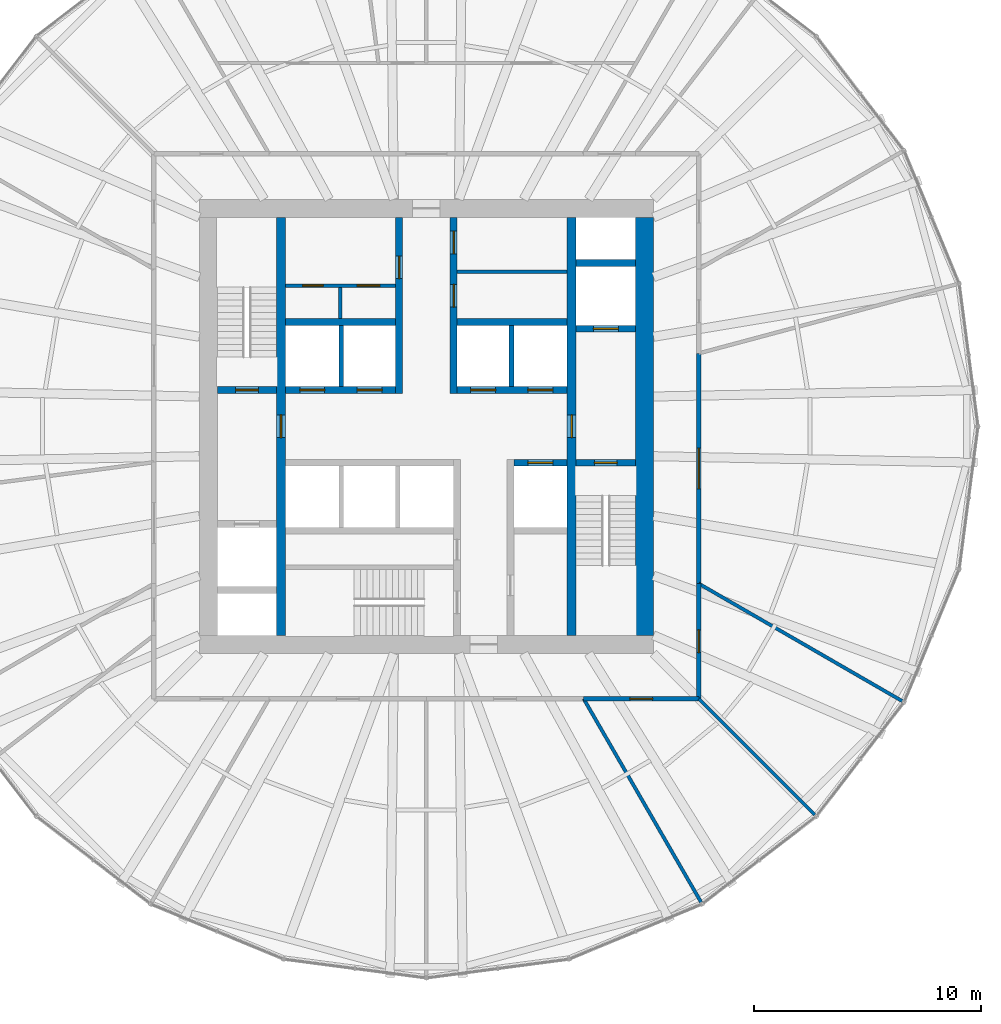
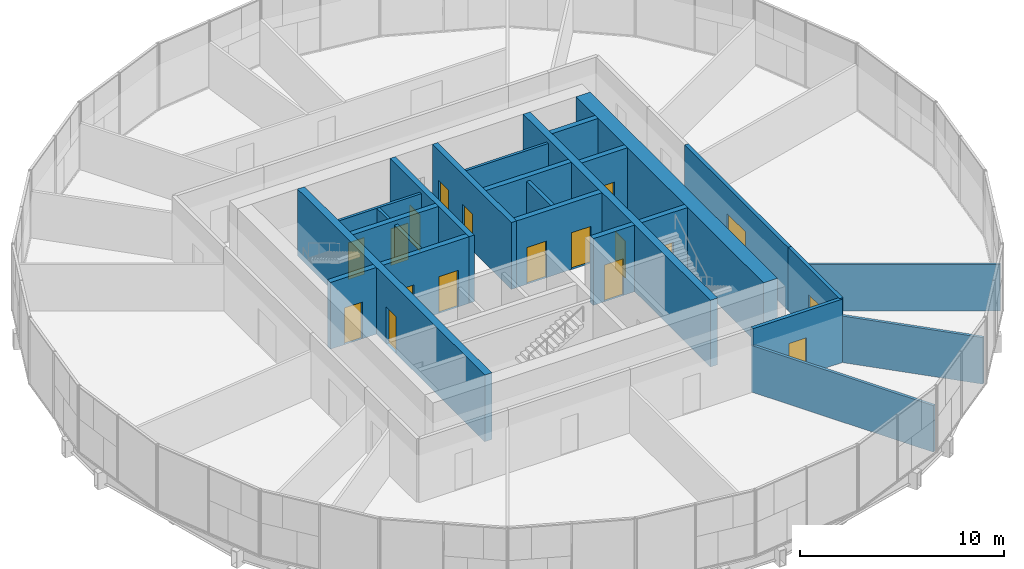
# One storey, part 11 of 13: 25 walls, 18 doors, 18 openings.
"""IFC4 building model written with IfcOpenShell, lengths in metres."""

from ifc_helpers import new_model, si_unit, direction, frame, frame_2d, origin, place, context, subcontext, project, spatial, rectangle, extrude, material, layer, layer_set, type_object, element, fill, save


model = new_model("IFC4")

# Units and contexts
model_context = context("Model", 3, precision=1e-05, world=origin(), true_north=direction((0.0, 1.0)))
body_context = subcontext(model_context, "Body", "Model", "MODEL_VIEW")
ifc_project = project(units=[si_unit("LENGTHUNIT", "METRE"), si_unit("AREAUNIT", "SQUARE_METRE"), si_unit("VOLUMEUNIT", "CUBIC_METRE"), si_unit("PLANEANGLEUNIT", "RADIAN"), si_unit("MASSUNIT", "GRAM", prefix="KILO")], contexts=[model_context])

# Site, building, storey
site_placement = place(None, origin())
site = spatial("IfcSite", under=ifc_project, at=site_placement, CompositionType="ELEMENT")
building_placement = place(site_placement, origin())
building = spatial("IfcBuilding", under=site, at=building_placement, Name="Golbaran Civic Tower", CompositionType="ELEMENT")
storey_placement = place(building_placement, frame((0.0, 0.0, 81.0)))
storey = spatial("IfcBuildingStorey", under=building, at=storey_placement, Name="L19", CompositionType="ELEMENT", Elevation=81.0)

# Wall
ifc_material_1 = material(Name="Concrete block", Category="concrete")
ifc_layer_1 = layer(ifc_material_1, 0.14990234375, Name="Concrete block")
ifc_layer_set_1 = layer_set([ifc_layer_1], Name="Concrete block")
wall_type_1 = type_object("IfcWallType", Name="BLOCKWORK PARTITION 150", PredefinedType="PARTITIONING", material=ifc_layer_set_1)
wall_1_placement = place(storey_placement, frame((1.35009765625, 6.800048828125, 0.0), z_axis=(0.0, 0.0, 1.0), x_axis=(1.0, 0.0, 0.0)))
element("IfcWall", 1, at=wall_1_placement, inside=storey, type_object=wall_type_1, Name="Toilet block partition TN1 L19", PredefinedType="PARTITIONING", context=body_context, shape_type="SweptSolid", body=[
    extrude(rectangle(XDim=4.849853515625, YDim=0.14990234375, at=frame_2d((2.4248046875, 0.0))), origin(), (0.0, 0.0, 1.0), 3.75),
])

# Wall, opening, door
ifc_material_2 = material(Name="Concrete C50/60", Category="concrete")
ifc_layer_2 = layer(ifc_material_2, 0.39990234375, Name="Concrete C50/60")
ifc_layer_set_2 = layer_set([ifc_layer_2], Name="Concrete C50/60")
wall_type_2 = type_object("IfcWallType", Name="CORE WALL CONCRETE 400", PredefinedType="SOLIDWALL", material=ifc_layer_set_2)
wall_2_placement = place(storey_placement, frame((-6.39990234375, -9.199951171875, 0.0), z_axis=(0.0, 0.0, 1.0), x_axis=(0.0, 1.0, 0.0)))
wall_2 = element("IfcWall", 2, at=wall_2_placement, inside=storey, type_object=wall_type_2, Name="Core wall IW L19", PredefinedType="SOLIDWALL", context=body_context, shape_type="SweptSolid", body=[
    extrude(rectangle(XDim=18.39990234375, YDim=0.39990234375, at=frame_2d((9.199951171875, 0.0))), origin(), (0.0, 0.0, 1.0), 4.0),
])
opening_1_placement = place(wall_2_placement, frame((8.699951171875, 0.0, 0.0)))
opening_1 = element("IfcOpeningElement", 3, at=opening_1_placement, cuts=wall_2, Name="Opening L19.FL1", PredefinedType="OPENING", context=body_context, shape_type="SweptSolid", body=[
    extrude(rectangle(XDim=1.0, YDim=2.199951171875, at=frame_2d((0.5, 1.10009765625))), frame((0.0, 0.2099609375, 0.0), z_axis=(0.0, -1.0, 0.0), x_axis=(1.0, 0.0, 0.0)), (0.0, 0.0, 1.0), 0.419921875),
])
ifc_material_3 = material(Name="Timber door set in steel frame", Category="steel")
door_type_1 = type_object("IfcDoorType", Name="STAIR DOOR 1000x2200", OperationType="SINGLE_SWING_LEFT", PredefinedType="DOOR", material=ifc_material_3)
door_1_placement = place(opening_1_placement, origin())
door_1 = element("IfcDoor", 4, at=door_1_placement, inside=storey, type_object=door_type_1, Name="Fire-fighting lobby FL1 door", OperationType="SINGLE_SWING_LEFT", OverallHeight=2.199951171875, OverallWidth=1.0, PredefinedType="DOOR", context=body_context, shape_type="SweptSolid", body=[
    extrude(rectangle(XDim=1.0, YDim=2.199951171875, at=frame_2d((0.5, 1.10009765625))), frame((0.0, 0.02490234375, 0.0), z_axis=(0.0, -1.0, 0.0), x_axis=(1.0, 0.0, 0.0)), (0.0, 0.0, 1.0), 0.050048828125),
])
fill(opening_1, door_1)

wall_3_placement = place(storey_placement, frame((6.39990234375, 9.199951171875, 0.0), z_axis=(0.0, 0.0, 1.0), x_axis=(0.0, -1.0, 0.0)))
wall_3 = element("IfcWall", 5, at=wall_3_placement, inside=storey, type_object=wall_type_2, Name="Core wall IE L19", PredefinedType="SOLIDWALL", context=body_context, shape_type="SweptSolid", body=[
    extrude(rectangle(XDim=18.39990234375, YDim=0.39990234375, at=frame_2d((9.199951171875, 0.0))), origin(), (0.0, 0.0, 1.0), 4.0),
])
opening_2_placement = place(wall_3_placement, frame((8.699951171875, 0.0, 0.0)))
opening_2 = element("IfcOpeningElement", 6, at=opening_2_placement, cuts=wall_3, Name="Opening L19.FL2", PredefinedType="OPENING", context=body_context, shape_type="SweptSolid", body=[
    extrude(rectangle(XDim=1.0, YDim=2.199951171875, at=frame_2d((0.5, 1.10009765625))), frame((0.0, 0.2099609375, 0.0), z_axis=(0.0, -1.0, 0.0), x_axis=(1.0, 0.0, 0.0)), (0.0, 0.0, 1.0), 0.419921875),
])
door_2_placement = place(opening_2_placement, origin())
door_2 = element("IfcDoor", 7, at=door_2_placement, inside=storey, type_object=door_type_1, Name="Fire-fighting lobby FL2 door", OperationType="SINGLE_SWING_RIGHT", OverallHeight=2.199951171875, OverallWidth=1.0, PredefinedType="DOOR", context=body_context, shape_type="SweptSolid", body=[
    extrude(rectangle(XDim=1.0, YDim=2.199951171875, at=frame_2d((0.5, 1.10009765625))), frame((0.0, 0.02490234375, 0.0), z_axis=(0.0, -1.0, 0.0), x_axis=(1.0, 0.0, 0.0)), (0.0, 0.0, 1.0), 0.050048828125),
])
fill(opening_2, door_2)

# Wall
ifc_layer_3 = layer(ifc_material_2, 0.800048828125, Name="Concrete C50/60")
ifc_layer_set_3 = layer_set([ifc_layer_3], Name="Concrete C50/60")
wall_type_3 = type_object("IfcWallType", Name="CORE WALL CONCRETE 800", PredefinedType="SOLIDWALL", material=ifc_layer_set_3)
wall_4_placement = place(storey_placement, frame((9.60009765625, -9.199951171875, 0.0), z_axis=(0.0, 0.0, 1.0), x_axis=(0.0, 1.0, 0.0)))
element("IfcWall", 8, at=wall_4_placement, inside=storey, type_object=wall_type_3, Name="Core wall CE L19", PredefinedType="SOLIDWALL", context=body_context, shape_type="SweptSolid", body=[
    extrude(rectangle(XDim=18.39990234375, YDim=0.800048828125, at=frame_2d((9.199951171875, 0.0))), origin(), (0.0, 0.0, 1.0), 4.0),
])

# Wall, opening, door
ifc_material_4 = material(Name="Gypsum board on steel studs, fire-rated", Category="steel")
ifc_layer_4 = layer(ifc_material_4, 0.199951171875, Name="Gypsum board on steel studs, fire-rated")
ifc_layer_set_4 = layer_set([ifc_layer_4], Name="Gypsum board on steel studs, fire-rated")
wall_type_4 = type_object("IfcWallType", Name="CORRIDOR WALL 200", PredefinedType="PARTITIONING", material=ifc_layer_set_4)
wall_5_placement = place(storey_placement, frame((12.0, -6.92822265625, 0.0), z_axis=(0.0, 0.0, 1.0), x_axis=(0.0, 1.0, 0.0)))
wall_5 = element("IfcWall", 9, at=wall_5_placement, inside=storey, type_object=wall_type_4, Name="Corridor wall L19", PredefinedType="PARTITIONING", context=body_context, shape_type="SweptSolid", body=[
    extrude(rectangle(XDim=10.1435546875, YDim=0.199951171875, at=frame_2d((5.07177734375, 0.0))), origin(), (0.0, 0.0, 1.0), 3.800048828125),
])
opening_3_placement = place(wall_5_placement, frame((4.171875, 0.0, 0.0)))
opening_3 = element("IfcOpeningElement", 10, at=opening_3_placement, cuts=wall_5, Name="Opening L19.04", PredefinedType="OPENING", context=body_context, shape_type="SweptSolid", body=[
    extrude(rectangle(XDim=1.800048828125, YDim=2.199951171875, at=frame_2d((0.89990234375, 1.10009765625))), frame((0.0, 0.10986328125, 0.0), z_axis=(0.0, -1.0, 0.0), x_axis=(1.0, 0.0, 0.0)), (0.0, 0.0, 1.0), 0.219970703125),
])
door_type_2 = type_object("IfcDoorType", Name="OFFICE DOUBLE DOOR 1800x2200", OperationType="DOUBLE_DOOR_SINGLE_SWING", PredefinedType="DOOR", material=ifc_material_3)
door_3_placement = place(opening_3_placement, origin())
door_3 = element("IfcDoor", 11, at=door_3_placement, inside=storey, type_object=door_type_2, Name="Open Office door L19", OperationType="DOUBLE_DOOR_SINGLE_SWING", OverallHeight=2.199951171875, OverallWidth=1.800048828125, PredefinedType="DOOR", context=body_context, shape_type="SweptSolid", body=[
    extrude(rectangle(XDim=1.800048828125, YDim=2.199951171875, at=frame_2d((0.89990234375, 1.10009765625))), frame((0.0, 0.02490234375, 0.0), z_axis=(0.0, -1.0, 0.0), x_axis=(1.0, 0.0, 0.0)), (0.0, 0.0, 1.0), 0.050048828125),
])
fill(opening_3, door_3)

wall_6_placement = place(storey_placement, frame((6.92822265625, -12.0, 0.0), z_axis=(0.0, 0.0, 1.0), x_axis=(1.0, 0.0, 0.0)))
wall_6 = element("IfcWall", 12, at=wall_6_placement, inside=storey, type_object=wall_type_4, Name="Corridor wall L19", PredefinedType="PARTITIONING", context=body_context, shape_type="SweptSolid", body=[
    extrude(rectangle(XDim=5.07177734375, YDim=0.199951171875, at=frame_2d((2.535888671875, 0.0))), origin(), (0.0, 0.0, 1.0), 3.800048828125),
])
opening_4_placement = place(wall_6_placement, frame((2.035888671875, 0.0, 0.0)))
opening_4 = element("IfcOpeningElement", 13, at=opening_4_placement, cuts=wall_6, Name="Opening L19.17", PredefinedType="OPENING", context=body_context, shape_type="SweptSolid", body=[
    extrude(rectangle(XDim=1.0, YDim=2.199951171875, at=frame_2d((0.5, 1.10009765625))), frame((0.0, 0.10986328125, 0.0), z_axis=(0.0, -1.0, 0.0), x_axis=(1.0, 0.0, 0.0)), (0.0, 0.0, 1.0), 0.219970703125),
])
door_type_3 = type_object("IfcDoorType", Name="OFFICE DOOR 1000x2200", OperationType="SINGLE_SWING_LEFT", PredefinedType="DOOR", material=ifc_material_3)
door_4_placement = place(opening_4_placement, origin())
door_4 = element("IfcDoor", 14, at=door_4_placement, inside=storey, type_object=door_type_3, Name="Prayer Room door L19", OperationType="SINGLE_SWING_LEFT", OverallHeight=2.199951171875, OverallWidth=1.0, PredefinedType="DOOR", context=body_context, shape_type="SweptSolid", body=[
    extrude(rectangle(XDim=1.0, YDim=2.199951171875, at=frame_2d((0.5, 1.10009765625))), frame((0.0, 0.02490234375, 0.0), z_axis=(0.0, -1.0, 0.0), x_axis=(1.0, 0.0, 0.0)), (0.0, 0.0, 1.0), 0.050048828125),
])
fill(opening_4, door_4)

wall_7_placement = place(storey_placement, frame((12.0, -12.0, 0.0), z_axis=(0.0, 0.0, 1.0), x_axis=(0.0, 1.0, 0.0)))
wall_7 = element("IfcWall", 15, at=wall_7_placement, inside=storey, type_object=wall_type_4, Name="Corridor wall L19", PredefinedType="PARTITIONING", context=body_context, shape_type="SweptSolid", body=[
    extrude(rectangle(XDim=5.07177734375, YDim=0.199951171875, at=frame_2d((2.535888671875, 0.0))), origin(), (0.0, 0.0, 1.0), 3.800048828125),
])
opening_5_placement = place(wall_7_placement, frame((2.035888671875, 0.0, 0.0)))
opening_5 = element("IfcOpeningElement", 16, at=opening_5_placement, cuts=wall_7, Name="Opening L19.18", PredefinedType="OPENING", context=body_context, shape_type="SweptSolid", body=[
    extrude(rectangle(XDim=1.0, YDim=2.199951171875, at=frame_2d((0.5, 1.10009765625))), frame((0.0, 0.10986328125, 0.0), z_axis=(0.0, -1.0, 0.0), x_axis=(1.0, 0.0, 0.0)), (0.0, 0.0, 1.0), 0.219970703125),
])
door_5_placement = place(opening_5_placement, origin())
door_5 = element("IfcDoor", 17, at=door_5_placement, inside=storey, type_object=door_type_3, Name="Print and Copy Room door L19", OperationType="SINGLE_SWING_LEFT", OverallHeight=2.199951171875, OverallWidth=1.0, PredefinedType="DOOR", context=body_context, shape_type="SweptSolid", body=[
    extrude(rectangle(XDim=1.0, YDim=2.199951171875, at=frame_2d((0.5, 1.10009765625))), frame((0.0, 0.02490234375, 0.0), z_axis=(0.0, -1.0, 0.0), x_axis=(1.0, 0.0, 0.0)), (0.0, 0.0, 1.0), 0.050048828125),
])
fill(opening_5, door_5)

# Walls
ifc_layer_5 = layer(ifc_material_1, 0.199951171875, Name="Concrete block")
ifc_layer_set_5 = layer_set([ifc_layer_5], Name="Concrete block")
wall_type_5 = type_object("IfcWallType", Name="LIFT SEPARATOR WALL 200", PredefinedType="SOLIDWALL", material=ifc_layer_set_5)
for number, where, z_axis, x_axis, name in (
    (18, (-3.75, 1.75, 0.0), (0.0, 0.0, 1.0), (0.0, 1.0, 0.0), "Core partition SNW L19"),
    (19, (3.75, 1.75, 0.0), (0.0, 0.0, 1.0), (0.0, 1.0, 0.0), "Core partition SNE L19"),
):
    element("IfcWall", number, at=place(storey_placement, frame(where, z_axis=z_axis, x_axis=x_axis)), inside=storey, type_object=wall_type_5, Name=name, PredefinedType="SOLIDWALL", context=body_context, shape_type="SweptSolid", body=[
        extrude(rectangle(XDim=2.699951171875, YDim=0.199951171875, at=frame_2d((1.35009765625, 0.0))), origin(), (0.0, 0.0, 1.0), 3.75),
    ])
ifc_material_5 = material(Name="Gypsum board on steel studs", Category="steel")
ifc_layer_6 = layer(ifc_material_5, 0.14990234375, Name="Gypsum board on steel studs")
ifc_layer_set_6 = layer_set([ifc_layer_6], Name="Gypsum board on steel studs")
wall_type_6 = type_object("IfcWallType", Name="OFFICE PARTITION 150", PredefinedType="PARTITIONING", material=ifc_layer_set_6)
for number, where, z_axis, x_axis, name in (
    (20, (12.0, -6.92822265625, 0.0), (0.0, 0.0, 1.0), (0.866023632182, -0.500003068493, 0.0), "Partition 330 L19"),
    (21, (6.92822265625, -12.0, 0.0), (0.0, 0.0, 1.0), (0.500003068493, -0.866023632182, 0.0), "Partition 300 L19"),
):
    element("IfcWall", number, at=place(storey_placement, frame(where, z_axis=z_axis, x_axis=x_axis)), inside=storey, type_object=wall_type_6, Name=name, PredefinedType="PARTITIONING", context=body_context, shape_type="SweptSolid", body=[
        extrude(rectangle(XDim=10.3427734375, YDim=0.14990234375, at=frame_2d((5.17138671875, 0.0))), origin(), (0.0, 0.0, 1.0), 2.7900390625),
    ])
wall_8_placement = place(storey_placement, frame((12.0, -12.0, 0.0), z_axis=(0.0, 0.0, 1.0), x_axis=(0.707106781187, -0.707106781187, 0.0)))
element("IfcWall", 22, at=wall_8_placement, inside=storey, type_object=wall_type_6, Name="Partition 315 L19", PredefinedType="PARTITIONING", context=body_context, shape_type="SweptSolid", body=[
    extrude(rectangle(XDim=7.228515625, YDim=0.14990234375, at=frame_2d((3.6142578125, 0.0))), origin(), (0.0, 0.0, 1.0), 2.7900390625),
])

# Wall, openings, doors
ifc_layer_7 = layer(ifc_material_2, 0.300048828125, Name="Concrete C50/60")
ifc_layer_set_7 = layer_set([ifc_layer_7], Name="Concrete C50/60")
wall_type_7 = type_object("IfcWallType", Name="SHAFT WALL CONCRETE 300", PredefinedType="SOLIDWALL", material=ifc_layer_set_7)
wall_9_placement = place(storey_placement, frame((-6.199951171875, 1.60009765625, 0.0), z_axis=(0.0, 0.0, 1.0), x_axis=(1.0, 0.0, 0.0)))
wall_9 = element("IfcWall", 23, at=wall_9_placement, inside=storey, type_object=wall_type_7, Name="Core wall FNW L19", PredefinedType="SOLIDWALL", context=body_context, shape_type="SweptSolid", body=[
    extrude(rectangle(XDim=4.849853515625, YDim=0.300048828125, at=frame_2d((2.4248046875, 0.0))), origin(), (0.0, 0.0, 1.0), 4.0),
])
opening_6_placement = place(wall_9_placement, frame((0.625, 0.0, 0.0)))
opening_6 = element("IfcOpeningElement", 24, at=opening_6_placement, cuts=wall_9, Name="Opening L19.LD-Z1L", PredefinedType="OPENING", context=body_context, shape_type="SweptSolid", body=[
    extrude(rectangle(XDim=1.10009765625, YDim=2.199951171875, at=frame_2d((0.550048828125, 1.10009765625))), frame((0.0, 0.159912109375, 0.0), z_axis=(0.0, -1.0, 0.0), x_axis=(1.0, 0.0, 0.0)), (0.0, 0.0, 1.0), 0.320068359375),
])
opening_7_placement = place(wall_9_placement, frame((3.14990234375, 0.0, 0.0)))
opening_7 = element("IfcOpeningElement", 25, at=opening_7_placement, cuts=wall_9, Name="Opening L19.LD-Z2L", PredefinedType="OPENING", context=body_context, shape_type="SweptSolid", body=[
    extrude(rectangle(XDim=1.10009765625, YDim=2.199951171875, at=frame_2d((0.550048828125, 1.10009765625))), frame((0.0, 0.159912109375, 0.0), z_axis=(0.0, -1.0, 0.0), x_axis=(1.0, 0.0, 0.0)), (0.0, 0.0, 1.0), 0.320068359375),
])
ifc_material_6 = material(Name="Stainless steel", Category="steel")
door_type_4 = type_object("IfcDoorType", Name="LIFT LANDING DOOR 1100x2200", OperationType="SLIDING_TO_LEFT", PredefinedType="DOOR", material=ifc_material_6)
door_6_placement = place(opening_6_placement, origin())
door_6 = element("IfcDoor", 26, at=door_6_placement, inside=storey, type_object=door_type_4, Name="Lift landing door Z1L", OperationType="SLIDING_TO_LEFT", OverallHeight=2.199951171875, OverallWidth=1.10009765625, PredefinedType="DOOR", context=body_context, shape_type="SweptSolid", body=[
    extrude(rectangle(XDim=1.10009765625, YDim=2.199951171875, at=frame_2d((0.550048828125, 1.10009765625))), frame((0.0, 0.02490234375, 0.0), z_axis=(0.0, -1.0, 0.0), x_axis=(1.0, 0.0, 0.0)), (0.0, 0.0, 1.0), 0.050048828125),
])
fill(opening_6, door_6)
door_7_placement = place(opening_7_placement, origin())
door_7 = element("IfcDoor", 27, at=door_7_placement, inside=storey, type_object=door_type_4, Name="Lift landing door Z2L", OperationType="SLIDING_TO_LEFT", OverallHeight=2.199951171875, OverallWidth=1.10009765625, PredefinedType="DOOR", context=body_context, shape_type="SweptSolid", body=[
    extrude(rectangle(XDim=1.10009765625, YDim=2.199951171875, at=frame_2d((0.550048828125, 1.10009765625))), frame((0.0, 0.02490234375, 0.0), z_axis=(0.0, -1.0, 0.0), x_axis=(1.0, 0.0, 0.0)), (0.0, 0.0, 1.0), 0.050048828125),
])
fill(opening_7, door_7)

wall_10_placement = place(storey_placement, frame((1.35009765625, 1.60009765625, 0.0), z_axis=(0.0, 0.0, 1.0), x_axis=(1.0, 0.0, 0.0)))
wall_10 = element("IfcWall", 28, at=wall_10_placement, inside=storey, type_object=wall_type_7, Name="Core wall FNE L19", PredefinedType="SOLIDWALL", context=body_context, shape_type="SweptSolid", body=[
    extrude(rectangle(XDim=4.849853515625, YDim=0.300048828125, at=frame_2d((2.4248046875, 0.0))), origin(), (0.0, 0.0, 1.0), 4.0),
])
opening_8_placement = place(wall_10_placement, frame((0.60009765625, 0.0, 0.0)))
opening_8 = element("IfcOpeningElement", 29, at=opening_8_placement, cuts=wall_10, Name="Opening L19.LD-Z3L", PredefinedType="OPENING", context=body_context, shape_type="SweptSolid", body=[
    extrude(rectangle(XDim=1.10009765625, YDim=2.199951171875, at=frame_2d((0.550048828125, 1.10009765625))), frame((0.0, 0.159912109375, 0.0), z_axis=(0.0, -1.0, 0.0), x_axis=(1.0, 0.0, 0.0)), (0.0, 0.0, 1.0), 0.320068359375),
])
opening_9_placement = place(wall_10_placement, frame((3.125, 0.0, 0.0)))
opening_9 = element("IfcOpeningElement", 30, at=opening_9_placement, cuts=wall_10, Name="Opening L19.LD-Z4L", PredefinedType="OPENING", context=body_context, shape_type="SweptSolid", body=[
    extrude(rectangle(XDim=1.10009765625, YDim=2.199951171875, at=frame_2d((0.550048828125, 1.10009765625))), frame((0.0, 0.159912109375, 0.0), z_axis=(0.0, -1.0, 0.0), x_axis=(1.0, 0.0, 0.0)), (0.0, 0.0, 1.0), 0.320068359375),
])
door_8_placement = place(opening_8_placement, origin())
door_8 = element("IfcDoor", 31, at=door_8_placement, inside=storey, type_object=door_type_4, Name="Lift landing door Z3L", OperationType="SLIDING_TO_LEFT", OverallHeight=2.199951171875, OverallWidth=1.10009765625, PredefinedType="DOOR", context=body_context, shape_type="SweptSolid", body=[
    extrude(rectangle(XDim=1.10009765625, YDim=2.199951171875, at=frame_2d((0.550048828125, 1.10009765625))), frame((0.0, 0.02490234375, 0.0), z_axis=(0.0, -1.0, 0.0), x_axis=(1.0, 0.0, 0.0)), (0.0, 0.0, 1.0), 0.050048828125),
])
fill(opening_8, door_8)
door_9_placement = place(opening_9_placement, origin())
door_9 = element("IfcDoor", 32, at=door_9_placement, inside=storey, type_object=door_type_4, Name="Lift landing door Z4L", OperationType="SLIDING_TO_LEFT", OverallHeight=2.199951171875, OverallWidth=1.10009765625, PredefinedType="DOOR", context=body_context, shape_type="SweptSolid", body=[
    extrude(rectangle(XDim=1.10009765625, YDim=2.199951171875, at=frame_2d((0.550048828125, 1.10009765625))), frame((0.0, 0.02490234375, 0.0), z_axis=(0.0, -1.0, 0.0), x_axis=(1.0, 0.0, 0.0)), (0.0, 0.0, 1.0), 0.050048828125),
])
fill(opening_9, door_9)

# Walls
for number, where, z_axis, x_axis, name in (
    (33, (-6.199951171875, 4.60009765625, 0.0), (0.0, 0.0, 1.0), (1.0, 0.0, 0.0), "Core wall BNW L19"),
    (34, (1.35009765625, 4.60009765625, 0.0), (0.0, 0.0, 1.0), (1.0, 0.0, 0.0), "Core wall BNE L19"),
):
    element("IfcWall", number, at=place(storey_placement, frame(where, z_axis=z_axis, x_axis=x_axis)), inside=storey, type_object=wall_type_7, Name=name, PredefinedType="SOLIDWALL", context=body_context, shape_type="SweptSolid", body=[
        extrude(rectangle(XDim=4.849853515625, YDim=0.300048828125, at=frame_2d((2.4248046875, 0.0))), origin(), (0.0, 0.0, 1.0), 4.0),
    ])

# Wall, opening, door
wall_11_placement = place(storey_placement, frame((-1.199951171875, 1.449951171875, 0.0), z_axis=(0.0, 0.0, 1.0), x_axis=(0.0, 1.0, 0.0)))
wall_11 = element("IfcWall", 35, at=wall_11_placement, inside=storey, type_object=wall_type_7, Name="Core wall PNW L19", PredefinedType="SOLIDWALL", context=body_context, shape_type="SweptSolid", body=[
    extrude(rectangle(XDim=7.75, YDim=0.300048828125, at=frame_2d((3.875, 0.0))), origin(), (0.0, 0.0, 1.0), 4.0),
])
opening_10_placement = place(wall_11_placement, frame((5.050048828125, 0.0, 0.0)))
opening_10 = element("IfcOpeningElement", 36, at=opening_10_placement, cuts=wall_11, Name="Opening L19.WCM", PredefinedType="OPENING", context=body_context, shape_type="SweptSolid", body=[
    extrude(rectangle(XDim=1.0, YDim=2.199951171875, at=frame_2d((0.5, 1.10009765625))), frame((0.0, 0.159912109375, 0.0), z_axis=(0.0, -1.0, 0.0), x_axis=(1.0, 0.0, 0.0)), (0.0, 0.0, 1.0), 0.320068359375),
])
door_type_5 = type_object("IfcDoorType", Name="TOILET DOOR 1000x2200", OperationType="SINGLE_SWING_LEFT", PredefinedType="DOOR", material=ifc_material_3)
door_10_placement = place(opening_10_placement, origin())
door_10 = element("IfcDoor", 37, at=door_10_placement, inside=storey, type_object=door_type_5, Name="North-west toilet block door", OperationType="SINGLE_SWING_RIGHT", OverallHeight=2.199951171875, OverallWidth=1.0, PredefinedType="DOOR", context=body_context, shape_type="SweptSolid", body=[
    extrude(rectangle(XDim=1.0, YDim=2.199951171875, at=frame_2d((0.5, 1.10009765625))), frame((0.0, 0.02490234375, 0.0), z_axis=(0.0, -1.0, 0.0), x_axis=(1.0, 0.0, 0.0)), (0.0, 0.0, 1.0), 0.050048828125),
])
fill(opening_10, door_10)

# Wall, openings, doors
wall_12_placement = place(storey_placement, frame((1.199951171875, 1.449951171875, 0.0), z_axis=(0.0, 0.0, 1.0), x_axis=(0.0, 1.0, 0.0)))
wall_12 = element("IfcWall", 38, at=wall_12_placement, inside=storey, type_object=wall_type_7, Name="Core wall PNE L19", PredefinedType="SOLIDWALL", context=body_context, shape_type="SweptSolid", body=[
    extrude(rectangle(XDim=7.75, YDim=0.300048828125, at=frame_2d((3.875, 0.0))), origin(), (0.0, 0.0, 1.0), 4.0),
])
opening_11_placement = place(wall_12_placement, frame((3.800048828125, 0.0, 0.0)))
opening_11 = element("IfcOpeningElement", 39, at=opening_11_placement, cuts=wall_12, Name="Opening L19.WCA", PredefinedType="OPENING", context=body_context, shape_type="SweptSolid", body=[
    extrude(rectangle(XDim=1.0, YDim=2.199951171875, at=frame_2d((0.5, 1.10009765625))), frame((0.0, 0.159912109375, 0.0), z_axis=(0.0, -1.0, 0.0), x_axis=(1.0, 0.0, 0.0)), (0.0, 0.0, 1.0), 0.320068359375),
])
opening_12_placement = place(wall_12_placement, frame((6.14990234375, 0.0, 0.0)))
opening_12 = element("IfcOpeningElement", 40, at=opening_12_placement, cuts=wall_12, Name="Opening L19.WCF", PredefinedType="OPENING", context=body_context, shape_type="SweptSolid", body=[
    extrude(rectangle(XDim=1.0, YDim=2.199951171875, at=frame_2d((0.5, 1.10009765625))), frame((0.0, 0.159912109375, 0.0), z_axis=(0.0, -1.0, 0.0), x_axis=(1.0, 0.0, 0.0)), (0.0, 0.0, 1.0), 0.320068359375),
])
door_11_placement = place(opening_11_placement, origin())
door_11 = element("IfcDoor", 41, at=door_11_placement, inside=storey, type_object=door_type_5, Name="Accessible WC door", OperationType="SINGLE_SWING_RIGHT", OverallHeight=2.199951171875, OverallWidth=1.0, PredefinedType="DOOR", context=body_context, shape_type="SweptSolid", body=[
    extrude(rectangle(XDim=1.0, YDim=2.199951171875, at=frame_2d((0.5, 1.10009765625))), frame((0.0, 0.02490234375, 0.0), z_axis=(0.0, -1.0, 0.0), x_axis=(1.0, 0.0, 0.0)), (0.0, 0.0, 1.0), 0.050048828125),
])
fill(opening_11, door_11)
door_12_placement = place(opening_12_placement, origin())
door_12 = element("IfcDoor", 42, at=door_12_placement, inside=storey, type_object=door_type_5, Name="North-east toilet block door", OperationType="SINGLE_SWING_RIGHT", OverallHeight=2.199951171875, OverallWidth=1.0, PredefinedType="DOOR", context=body_context, shape_type="SweptSolid", body=[
    extrude(rectangle(XDim=1.0, YDim=2.199951171875, at=frame_2d((0.5, 1.10009765625))), frame((0.0, 0.02490234375, 0.0), z_axis=(0.0, -1.0, 0.0), x_axis=(1.0, 0.0, 0.0)), (0.0, 0.0, 1.0), 0.050048828125),
])
fill(opening_12, door_12)

# Wall, opening, door
wall_13_placement = place(storey_placement, frame((3.85009765625, -1.60009765625, 0.0), z_axis=(0.0, 0.0, 1.0), x_axis=(1.0, 0.0, 0.0)))
wall_13 = element("IfcWall", 43, at=wall_13_placement, inside=storey, type_object=wall_type_7, Name="Core wall FSE L19", PredefinedType="SOLIDWALL", context=body_context, shape_type="SweptSolid", body=[
    extrude(rectangle(XDim=2.349853515625, YDim=0.300048828125, at=frame_2d((1.1748046875, 0.0))), origin(), (0.0, 0.0, 1.0), 4.0),
])
opening_13_placement = place(wall_13_placement, frame((0.625, 0.0, 0.0)))
opening_13 = element("IfcOpeningElement", 44, at=opening_13_placement, cuts=wall_13, Name="Opening L19.LD-V1", PredefinedType="OPENING", context=body_context, shape_type="SweptSolid", body=[
    extrude(rectangle(XDim=1.10009765625, YDim=2.199951171875, at=frame_2d((0.550048828125, 1.10009765625))), frame((0.0, 0.159912109375, 0.0), z_axis=(0.0, -1.0, 0.0), x_axis=(1.0, 0.0, 0.0)), (0.0, 0.0, 1.0), 0.320068359375),
])
door_13_placement = place(opening_13_placement, origin())
door_13 = element("IfcDoor", 45, at=door_13_placement, inside=storey, type_object=door_type_4, Name="Lift landing door V1", OperationType="SLIDING_TO_LEFT", OverallHeight=2.199951171875, OverallWidth=1.10009765625, PredefinedType="DOOR", context=body_context, shape_type="SweptSolid", body=[
    extrude(rectangle(XDim=1.10009765625, YDim=2.199951171875, at=frame_2d((0.550048828125, 1.10009765625))), frame((0.0, 0.02490234375, 0.0), z_axis=(0.0, -1.0, 0.0), x_axis=(1.0, 0.0, 0.0)), (0.0, 0.0, 1.0), 0.050048828125),
])
fill(opening_13, door_13)

wall_14_placement = place(storey_placement, frame((-9.199951171875, 1.60009765625, 0.0), z_axis=(0.0, 0.0, 1.0), x_axis=(1.0, 0.0, 0.0)))
wall_14 = element("IfcWall", 46, at=wall_14_placement, inside=storey, type_object=wall_type_7, Name="Core wall XW1 L19", PredefinedType="SOLIDWALL", context=body_context, shape_type="SweptSolid", body=[
    extrude(rectangle(XDim=2.599853515625, YDim=0.300048828125, at=frame_2d((1.2998046875, 0.0))), origin(), (0.0, 0.0, 1.0), 4.0),
])
opening_14_placement = place(wall_14_placement, frame((0.800048828125, 0.0, 0.0)))
opening_14 = element("IfcOpeningElement", 47, at=opening_14_placement, cuts=wall_14, Name="Opening L19.S1", PredefinedType="OPENING", context=body_context, shape_type="SweptSolid", body=[
    extrude(rectangle(XDim=1.0, YDim=2.199951171875, at=frame_2d((0.5, 1.10009765625))), frame((0.0, 0.159912109375, 0.0), z_axis=(0.0, -1.0, 0.0), x_axis=(1.0, 0.0, 0.0)), (0.0, 0.0, 1.0), 0.320068359375),
])
door_14_placement = place(opening_14_placement, origin())
door_14 = element("IfcDoor", 48, at=door_14_placement, inside=storey, type_object=door_type_1, Name="Stair S1 door", OperationType="SINGLE_SWING_LEFT", OverallHeight=2.199951171875, OverallWidth=1.0, PredefinedType="DOOR", context=body_context, shape_type="SweptSolid", body=[
    extrude(rectangle(XDim=1.0, YDim=2.199951171875, at=frame_2d((0.5, 1.10009765625))), frame((0.0, 0.02490234375, 0.0), z_axis=(0.0, -1.0, 0.0), x_axis=(1.0, 0.0, 0.0)), (0.0, 0.0, 1.0), 0.050048828125),
])
fill(opening_14, door_14)

wall_15_placement = place(storey_placement, frame((6.60009765625, -1.60009765625, 0.0), z_axis=(0.0, 0.0, 1.0), x_axis=(1.0, 0.0, 0.0)))
wall_15 = element("IfcWall", 49, at=wall_15_placement, inside=storey, type_object=wall_type_7, Name="Core wall XE1 L19", PredefinedType="SOLIDWALL", context=body_context, shape_type="SweptSolid", body=[
    extrude(rectangle(XDim=2.599853515625, YDim=0.300048828125, at=frame_2d((1.2998046875, 0.0))), origin(), (0.0, 0.0, 1.0), 4.0),
])
opening_15_placement = place(wall_15_placement, frame((0.800048828125, 0.0, 0.0)))
opening_15 = element("IfcOpeningElement", 50, at=opening_15_placement, cuts=wall_15, Name="Opening L19.S2", PredefinedType="OPENING", context=body_context, shape_type="SweptSolid", body=[
    extrude(rectangle(XDim=1.0, YDim=2.199951171875, at=frame_2d((0.5, 1.10009765625))), frame((0.0, 0.159912109375, 0.0), z_axis=(0.0, -1.0, 0.0), x_axis=(1.0, 0.0, 0.0)), (0.0, 0.0, 1.0), 0.320068359375),
])
door_15_placement = place(opening_15_placement, origin())
door_15 = element("IfcDoor", 51, at=door_15_placement, inside=storey, type_object=door_type_1, Name="Stair S2 door", OperationType="SINGLE_SWING_LEFT", OverallHeight=2.199951171875, OverallWidth=1.0, PredefinedType="DOOR", context=body_context, shape_type="SweptSolid", body=[
    extrude(rectangle(XDim=1.0, YDim=2.199951171875, at=frame_2d((0.5, 1.10009765625))), frame((0.0, 0.02490234375, 0.0), z_axis=(0.0, -1.0, 0.0), x_axis=(1.0, 0.0, 0.0)), (0.0, 0.0, 1.0), 0.050048828125),
])
fill(opening_15, door_15)

wall_16_placement = place(storey_placement, frame((6.60009765625, 4.300048828125, 0.0), z_axis=(0.0, 0.0, 1.0), x_axis=(1.0, 0.0, 0.0)))
wall_16 = element("IfcWall", 52, at=wall_16_placement, inside=storey, type_object=wall_type_7, Name="Core wall XE2 L19", PredefinedType="SOLIDWALL", context=body_context, shape_type="SweptSolid", body=[
    extrude(rectangle(XDim=2.599853515625, YDim=0.300048828125, at=frame_2d((1.2998046875, 0.0))), origin(), (0.0, 0.0, 1.0), 4.0),
])
opening_16_placement = place(wall_16_placement, frame((0.75, 0.0, 0.0)))
opening_16 = element("IfcOpeningElement", 53, at=opening_16_placement, cuts=wall_16, Name="Opening L19.LD-F2", PredefinedType="OPENING", context=body_context, shape_type="SweptSolid", body=[
    extrude(rectangle(XDim=1.10009765625, YDim=2.199951171875, at=frame_2d((0.550048828125, 1.10009765625))), frame((0.0, 0.159912109375, 0.0), z_axis=(0.0, -1.0, 0.0), x_axis=(1.0, 0.0, 0.0)), (0.0, 0.0, 1.0), 0.320068359375),
])
door_16_placement = place(opening_16_placement, origin())
door_16 = element("IfcDoor", 54, at=door_16_placement, inside=storey, type_object=door_type_4, Name="Lift landing door F2", OperationType="SLIDING_TO_LEFT", OverallHeight=2.199951171875, OverallWidth=1.10009765625, PredefinedType="DOOR", context=body_context, shape_type="SweptSolid", body=[
    extrude(rectangle(XDim=1.10009765625, YDim=2.199951171875, at=frame_2d((0.550048828125, 1.10009765625))), frame((0.0, 0.02490234375, 0.0), z_axis=(0.0, -1.0, 0.0), x_axis=(1.0, 0.0, 0.0)), (0.0, 0.0, 1.0), 0.050048828125),
])
fill(opening_16, door_16)

# Wall
wall_17_placement = place(storey_placement, frame((6.60009765625, 7.199951171875, 0.0), z_axis=(0.0, 0.0, 1.0), x_axis=(1.0, 0.0, 0.0)))
element("IfcWall", 55, at=wall_17_placement, inside=storey, type_object=wall_type_7, Name="Core wall XE3 L19", PredefinedType="SOLIDWALL", context=body_context, shape_type="SweptSolid", body=[
    extrude(rectangle(XDim=2.599853515625, YDim=0.300048828125, at=frame_2d((1.2998046875, 0.0))), origin(), (0.0, 0.0, 1.0), 4.0),
])

# Wall, openings, doors
ifc_material_7 = material(Name="Moisture-resistant gypsum board on steel studs", Category="steel")
ifc_layer_8 = layer(ifc_material_7, 0.14990234375, Name="Moisture-resistant gypsum board on steel studs")
ifc_layer_set_8 = layer_set([ifc_layer_8], Name="Moisture-resistant gypsum board on steel studs")
wall_type_8 = type_object("IfcWallType", Name="TOILET BLOCK PARTITION 150", PredefinedType="PARTITIONING", material=ifc_layer_set_8)
wall_18_placement = place(storey_placement, frame((-6.199951171875, 6.199951171875, 0.0), z_axis=(0.0, 0.0, 1.0), x_axis=(1.0, 0.0, 0.0)))
wall_18 = element("IfcWall", 56, at=wall_18_placement, inside=storey, type_object=wall_type_8, Name="Toilet block partition MSH L19", PredefinedType="PARTITIONING", context=body_context, shape_type="SweptSolid", body=[
    extrude(rectangle(XDim=4.849853515625, YDim=0.14990234375, at=frame_2d((2.4248046875, 0.0))), origin(), (0.0, 0.0, 1.0), 3.75),
])
opening_17_placement = place(wall_18_placement, frame((3.14990234375, 0.0, 0.0)))
opening_17 = element("IfcOpeningElement", 57, at=opening_17_placement, cuts=wall_18, Name="Opening L19.19", PredefinedType="OPENING", context=body_context, shape_type="SweptSolid", body=[
    extrude(rectangle(XDim=1.0, YDim=2.199951171875, at=frame_2d((0.5, 1.10009765625))), frame((0.0, 0.0849609375, 0.0), z_axis=(0.0, -1.0, 0.0), x_axis=(1.0, 0.0, 0.0)), (0.0, 0.0, 1.0), 0.169921875),
])
opening_18_placement = place(wall_18_placement, frame((0.75, 0.0, 0.0)))
opening_18 = element("IfcOpeningElement", 58, at=opening_18_placement, cuts=wall_18, Name="Opening L19.20", PredefinedType="OPENING", context=body_context, shape_type="SweptSolid", body=[
    extrude(rectangle(XDim=0.89990234375, YDim=2.199951171875, at=frame_2d((0.449951171875, 1.10009765625))), frame((0.0, 0.0849609375, 0.0), z_axis=(0.0, -1.0, 0.0), x_axis=(1.0, 0.0, 0.0)), (0.0, 0.0, 1.0), 0.169921875),
])
door_type_6 = type_object("IfcDoorType", Name="RISER DOOR 900x2200", OperationType="SINGLE_SWING_LEFT", PredefinedType="DOOR", material=ifc_material_3)
door_17_placement = place(opening_18_placement, origin())
door_17 = element("IfcDoor", 59, at=door_17_placement, inside=storey, type_object=door_type_6, Name="Cleaner's store door", OperationType="SINGLE_SWING_LEFT", OverallHeight=2.199951171875, OverallWidth=0.89990234375, PredefinedType="DOOR", context=body_context, shape_type="SweptSolid", body=[
    extrude(rectangle(XDim=0.89990234375, YDim=2.199951171875, at=frame_2d((0.449951171875, 1.10009765625))), frame((0.0, 0.02490234375, 0.0), z_axis=(0.0, -1.0, 0.0), x_axis=(1.0, 0.0, 0.0)), (0.0, 0.0, 1.0), 0.050048828125),
])
fill(opening_18, door_17)
door_18_placement = place(opening_17_placement, origin())
door_18 = element("IfcDoor", 60, at=door_18_placement, inside=storey, type_object=door_type_5, Name="Male shower room door", OperationType="SINGLE_SWING_RIGHT", OverallHeight=2.199951171875, OverallWidth=1.0, PredefinedType="DOOR", context=body_context, shape_type="SweptSolid", body=[
    extrude(rectangle(XDim=1.0, YDim=2.199951171875, at=frame_2d((0.5, 1.10009765625))), frame((0.0, 0.02490234375, 0.0), z_axis=(0.0, -1.0, 0.0), x_axis=(1.0, 0.0, 0.0)), (0.0, 0.0, 1.0), 0.050048828125),
])
fill(opening_17, door_18)

# Wall
wall_19_placement = place(storey_placement, frame((-3.800048828125, 4.75, 0.0), z_axis=(0.0, 0.0, 1.0), x_axis=(0.0, 1.0, 0.0)))
element("IfcWall", 61, at=wall_19_placement, inside=storey, type_object=wall_type_8, Name="Toilet block partition MST L19", PredefinedType="PARTITIONING", context=body_context, shape_type="SweptSolid", body=[
    extrude(rectangle(XDim=1.375, YDim=0.14990234375, at=frame_2d((0.6875, 0.0))), origin(), (0.0, 0.0, 1.0), 3.75),
])

save(model, "model.ifc")
